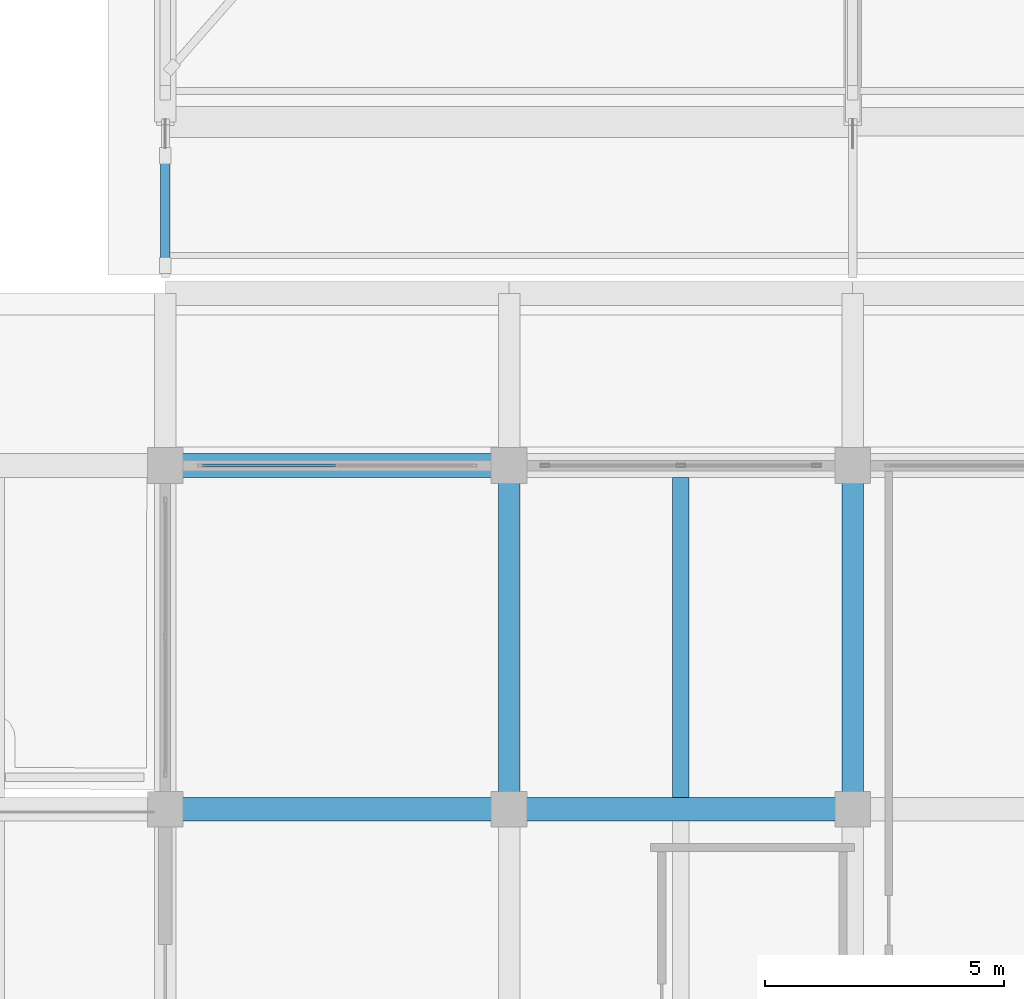
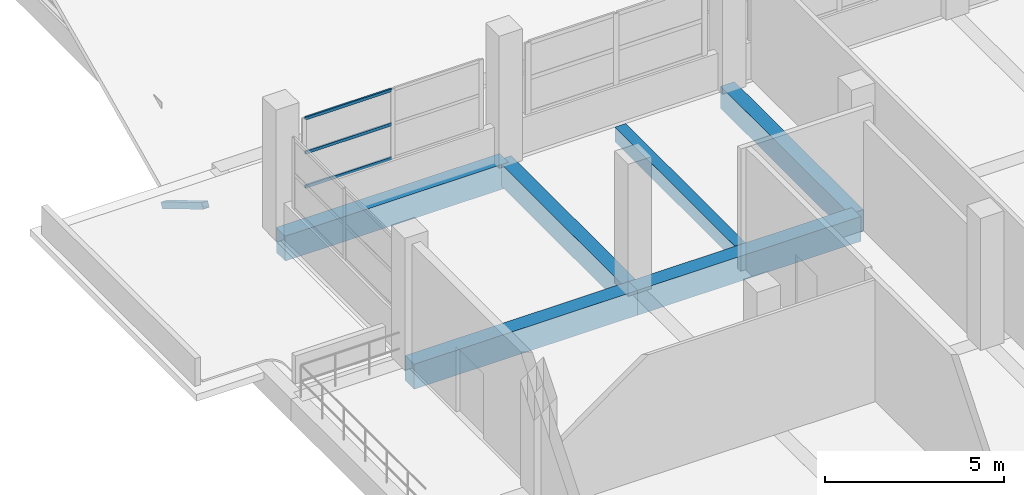
# One storey, part 59 of 141: 6 beams, 4 members, 1 element without a shape of its own.
"""IFC4 building model written with IfcOpenShell, lengths in metres."""

from ifc_helpers import new_model, si_unit, direction, frame, origin, origin_2d, place, context, subcontext, project, spatial, rectangle, hollow_rectangle, extrude, material, layer, layer_set, material_profile, profile_set, type_object, element, aggregate, save


model = new_model("IFC4")

# Units and contexts
model_context = context("Model", 3, precision=1e-05, world=origin(), true_north=direction((0.0, 1.0)))
body_context = subcontext(model_context, "Body", "Model", "MODEL_VIEW")
ifc_project = project(units=[si_unit("LENGTHUNIT", "METRE"), si_unit("AREAUNIT", "SQUARE_METRE"), si_unit("VOLUMEUNIT", "CUBIC_METRE"), si_unit("PLANEANGLEUNIT", "RADIAN"), si_unit("MASSUNIT", "GRAM", prefix="KILO")], contexts=[model_context])

# Site, building, storey
site_placement = place(None, origin())
site = spatial("IfcSite", under=ifc_project, at=site_placement, CompositionType="ELEMENT")
building_placement = place(site_placement, origin())
building = spatial("IfcBuilding", under=site, at=building_placement, Name="Seraya Terrace Polytechnic", CompositionType="ELEMENT")
storey_placement = place(building_placement, frame((0.0, 0.0, 14.39990234375)))
storey = spatial("IfcBuildingStorey", under=building, at=storey_placement, Name="L03", CompositionType="ELEMENT", Elevation=14.39990234375)

# Beams
ifc_material_1 = material(Name="Concrete C40/50", Category="concrete")
ifc_material_profile_1 = material_profile(ifc_material_1, rectangle(XDim=0.5, YDim=0.85009765625, at=origin_2d()), Name="RC 500x850")
ifc_profile_set_1 = profile_set([ifc_material_profile_1], Name="Concrete C40/50")
beam_type_1 = type_object("IfcBeamType", Name="BM-05", PredefinedType="BEAM", material=ifc_profile_set_1)
beam_1_placement = place(storey_placement, frame((14.39990234375, 64.800048828125, -0.4248046875), z_axis=(1.0, 0.0, 0.0), x_axis=(0.0, 1.0, 0.0)))
element("IfcBeam", 1, at=beam_1_placement, inside=storey, type_object=beam_type_1, Name="Beam BM-05 L03 X (14.4..21.6, 64.8)", PredefinedType="BEAM", context=body_context, shape_type="SweptSolid", body=[
    extrude(rectangle(XDim=0.5, YDim=0.85009765625, at=origin_2d()), origin(), (0.0, 0.0, 1.0), 7.2001953125),
])
beam_2_placement = place(storey_placement, frame((21.60009765625, 64.800048828125, -0.4248046875), z_axis=(1.0, 0.0, 0.0), x_axis=(0.0, 1.0, 0.0)))
element("IfcBeam", 2, at=beam_2_placement, inside=storey, type_object=beam_type_1, Name="Beam BM-05 L03 X (21.6..28.8, 64.8)", PredefinedType="BEAM", context=body_context, shape_type="SweptSolid", body=[
    extrude(rectangle(XDim=0.5, YDim=0.85009765625, at=origin_2d()), origin(), (0.0, 0.0, 1.0), 7.199951171875),
])
beam_3_placement = place(storey_placement, frame((14.39990234375, 72.0, -0.4248046875), z_axis=(1.0, 0.0, 0.0), x_axis=(0.0, 1.0, 0.0)))
element("IfcBeam", 3, at=beam_3_placement, inside=storey, type_object=beam_type_1, Name="Beam BM-05 L03 X (14.4..21.6, 72.0)", PredefinedType="BEAM", context=body_context, shape_type="SweptSolid", body=[
    extrude(rectangle(XDim=0.5, YDim=0.85009765625, at=origin_2d()), origin(), (0.0, 0.0, 1.0), 7.2001953125),
])
ifc_material_profile_2 = material_profile(ifc_material_1, rectangle(XDim=0.449951171875, YDim=0.75, at=origin_2d()), Name="RC 450x750")
ifc_profile_set_2 = profile_set([ifc_material_profile_2], Name="Concrete C40/50")
beam_type_2 = type_object("IfcBeamType", Name="BM-08", PredefinedType="BEAM", material=ifc_profile_set_2)
for number, where, z_axis, x_axis, name in (
    (4, (21.60009765625, 64.800048828125, -0.375), (0.0, 1.0, 0.0), (-1.0, 0.0, 0.0), "Beam BM-08 L03 Y (21.6, 64.8..72.0)"),
    (5, (28.800048828125, 64.800048828125, -0.375), (0.0, 1.0, 0.0), (-1.0, 0.0, 0.0), "Beam BM-08 L03 Y (28.8, 64.8..72.0)"),
):
    element("IfcBeam", number, at=place(storey_placement, frame(where, z_axis=z_axis, x_axis=x_axis)), inside=storey, type_object=beam_type_2, Name=name, PredefinedType="BEAM", context=body_context, shape_type="SweptSolid", body=[
        extrude(rectangle(XDim=0.449951171875, YDim=0.75, at=origin_2d()), origin(), (0.0, 0.0, 1.0), 7.199951171875),
    ])

# Curtain wall, members
ifc_material_2 = material(Name="Anodised aluminium EN AW-6063 T6", Category="aluminium")
ifc_layer = layer(ifc_material_2, 0.179931640625, Name="CW-06")
ifc_layer_set = layer_set([ifc_layer], Name="Anodised aluminium EN AW-6063 T6")
curtain_wall_type = type_object("IfcCurtainWallType", Name="CW-06", PredefinedType="NOTDEFINED", material=ifc_layer_set)
curtain_wall_placement = place(storey_placement, origin())
curtain_wall = element("IfcCurtainWall", 6, at=curtain_wall_placement, inside=storey, type_object=curtain_wall_type, Name="Unitised curtain wall CW-06 (CW-L03-114)", PredefinedType="NOTDEFINED")
ifc_material_profile_3 = material_profile(ifc_material_2, hollow_rectangle(XDim=0.054931640625, YDim=0.10009765625, WallThickness=0.0029296875, at=origin_2d()), Name="RHS 100x55x3.0")
ifc_profile_set_3 = profile_set([ifc_material_profile_3], Name="Anodised aluminium EN AW-6063 T6")
member_type_1 = type_object("IfcMemberType", Name="CWT-03", PredefinedType="USERDEFINED", material=ifc_profile_set_3)
member_1_placement = place(storey_placement, frame((15.179931640625, 72.0, 1.267578125), z_axis=(1.0, 0.0, 0.0), x_axis=(0.0, 1.0, 0.0)))
member_1 = element("IfcMember", 7, at=member_1_placement, type_object=member_type_1, Name="CW-06 transom 1.1", ObjectType="TRANSOM", PredefinedType="USERDEFINED", context=body_context, shape_type="SweptSolid", body=[
    extrude(hollow_rectangle(XDim=0.054931640625, YDim=0.10009765625, WallThickness=0.0029296875, at=origin_2d()), origin(), (0.0, 0.0, 1.0), 2.7900390625),
])
member_2_placement = place(storey_placement, frame((15.179931640625, 72.0, 2.43017578125), z_axis=(1.0, 0.0, 0.0), x_axis=(0.0, 1.0, 0.0)))
member_2 = element("IfcMember", 8, at=member_2_placement, type_object=member_type_1, Name="CW-06 transom 1.2", ObjectType="TRANSOM", PredefinedType="USERDEFINED", context=body_context, shape_type="SweptSolid", body=[
    extrude(hollow_rectangle(XDim=0.054931640625, YDim=0.10009765625, WallThickness=0.0029296875, at=origin_2d()), origin(), (0.0, 0.0, 1.0), 2.7900390625),
])
member_3_placement = place(storey_placement, frame((15.179931640625, 72.0, 3.592529296875), z_axis=(1.0, 0.0, 0.0), x_axis=(0.0, 1.0, 0.0)))
member_3 = element("IfcMember", 9, at=member_3_placement, type_object=member_type_1, Name="CW-06 transom 1.3", ObjectType="TRANSOM", PredefinedType="USERDEFINED", context=body_context, shape_type="SweptSolid", body=[
    extrude(hollow_rectangle(XDim=0.054931640625, YDim=0.10009765625, WallThickness=0.0029296875, at=origin_2d()), origin(), (0.0, 0.0, 1.0), 2.7900390625),
])
aggregate(curtain_wall, [member_1, member_2, member_3])

# Beam
ifc_material_profile_4 = material_profile(ifc_material_1, rectangle(XDim=0.35009765625, YDim=0.5, at=origin_2d()), Name="RC 350x500")
ifc_profile_set_4 = profile_set([ifc_material_profile_4], Name="Concrete C40/50")
beam_type_3 = type_object("IfcBeamType", Name="JS-03", PredefinedType="JOIST", material=ifc_profile_set_4)
beam_4_placement = place(storey_placement, frame((25.199951171875, 65.050048828125, -0.25), z_axis=(0.0, 1.0, 0.0), x_axis=(-1.0, 0.0, 0.0)))
element("IfcBeam", 10, at=beam_4_placement, inside=storey, type_object=beam_type_3, Name="Secondary joist JS-03 L03", PredefinedType="JOIST", context=body_context, shape_type="SweptSolid", body=[
    extrude(rectangle(XDim=0.35009765625, YDim=0.5, at=origin_2d()), origin(), (0.0, 0.0, 1.0), 6.699951171875),
])

# Member
ifc_material_3 = material(Name="Steel S355J2", Category="steel")
ifc_material_profile_5 = material_profile(ifc_material_3, hollow_rectangle(XDim=0.199951171875, YDim=0.199951171875, WallThickness=0.010009765625, at=origin_2d()), Name="SHS 200x200x10.0")
ifc_profile_set_5 = profile_set([ifc_material_profile_5], Name="Steel S355J2")
member_type_2 = type_object("IfcMemberType", Name="ST-M4", PredefinedType="STRUT", material=ifc_profile_set_5)
member_4_placement = place(storey_placement, frame((14.39990234375, 78.485107421875, -3.0), z_axis=(0.0, -0.858058621588, 0.513551751938), x_axis=(1.0, 0.0, 0.0)))
element("IfcMember", 11, at=member_4_placement, inside=storey, type_object=member_type_2, Name="Gable eave outrigger knee-brace 1 South", PredefinedType="STRUT", context=body_context, shape_type="SweptSolid", body=[
    extrude(hollow_rectangle(XDim=0.199951171875, YDim=0.199951171875, WallThickness=0.010009765625, at=origin_2d()), origin(), (0.0, 0.0, 1.0), 2.6630859375),
])

save(model, "model.ifc")
